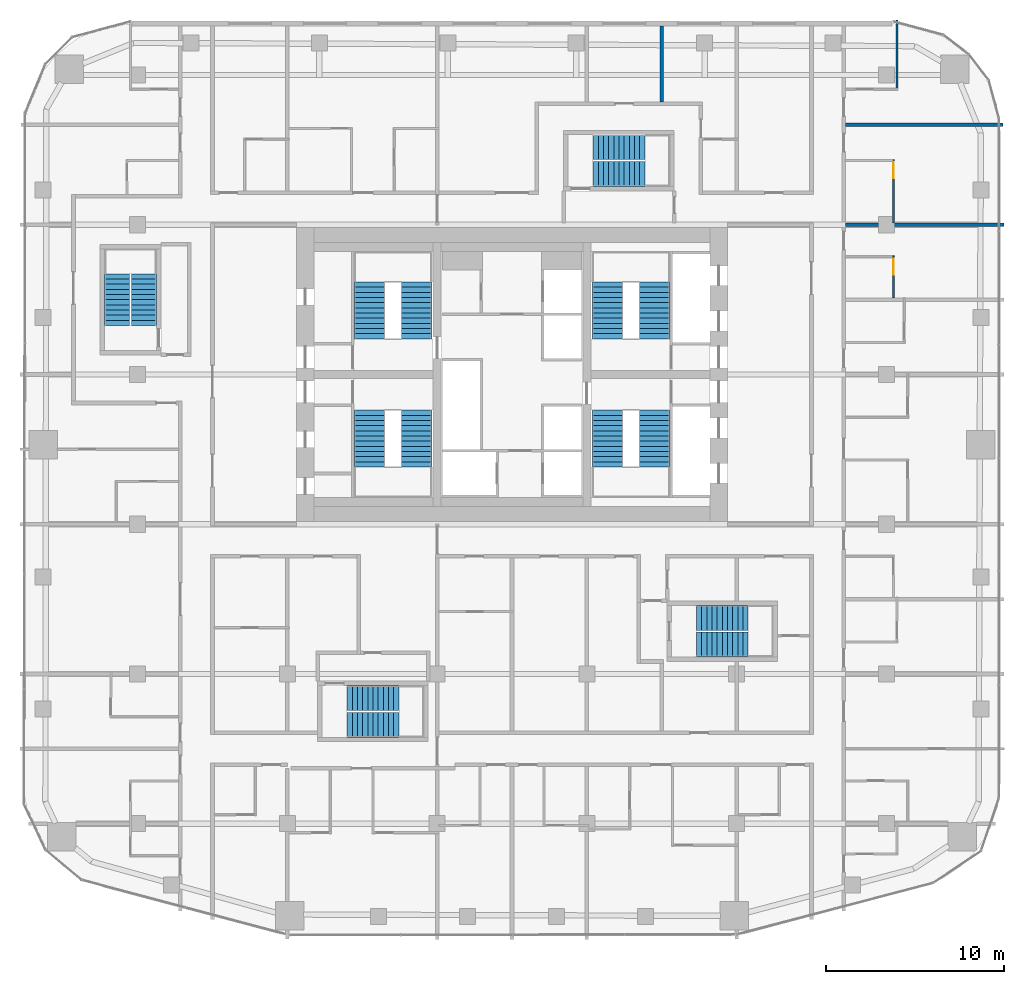
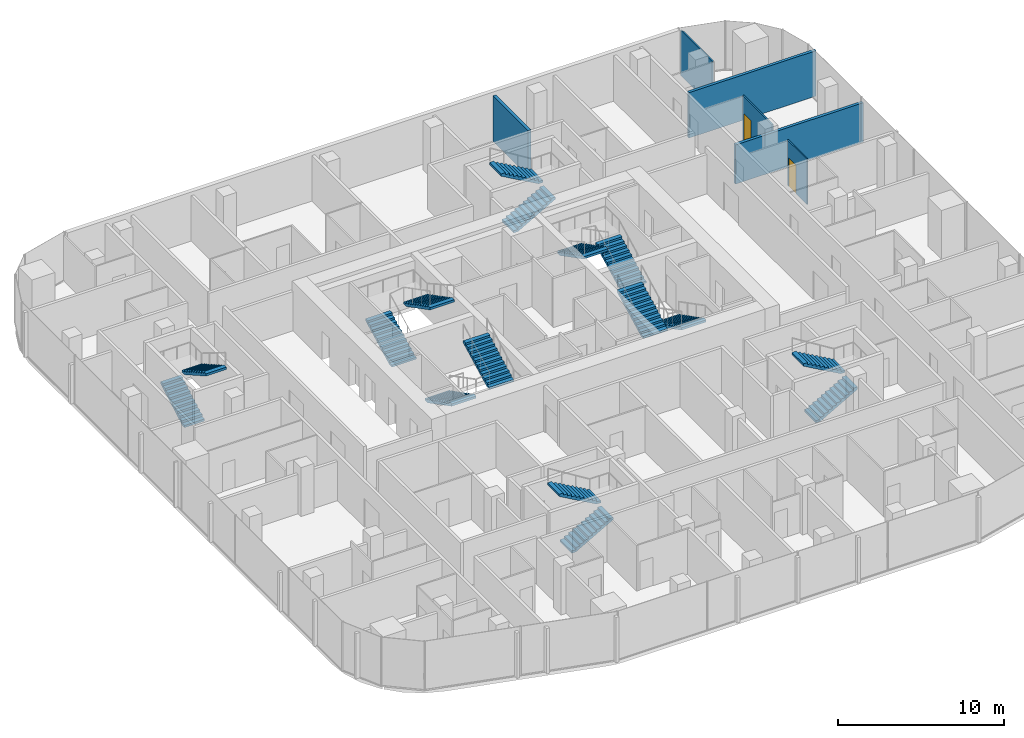
# One storey, part 21 of 23: 16 stair flights, 6 walls, 2 doors, 2 openings, 8 elements without a shape of their own.
"""IFC4 building model written with IfcOpenShell, lengths in metres."""

import ifcopenshell
import ifcopenshell.guid

model = None  # the IFC model being written
_history = None  # IfcOwnerHistory: only IFC2X3 demands one
_inside = {}  # id of a spatial element -> (the spatial element, [elements in it])
_under = {}  # id of a project, library or spatial element -> (it, [spatial elements below it])
_declared = {}  # id of a project -> (the project, [libraries it declares])
_typed = {}  # id of a type object -> (the type object, [elements of that type])
_made_of = {}  # id of a material, layer set ... -> (it, [elements and type objects made of it])


def new_model(schema):
    """Start an empty IFC model of exactly this schema.

    Asked for "IFC4X3", IfcOpenShell would pick the latest addendum, in which some entities
    have other attributes; the version numbers below select the first issue.
    IFC2X3 requires an IfcOwnerHistory on every rooted entity: one is made here for all.
    """
    global model, _history
    if schema == "IFC4X3":
        model = ifcopenshell.file(schema_version=(4, 3, 0, 0))
    else:
        model = ifcopenshell.file(schema=schema)
    _inside.clear()
    _under.clear()
    _declared.clear()
    _typed.clear()
    _made_of.clear()
    _history = None
    if model.schema == "IFC2X3":
        org = make("IfcOrganization", Name="unknown")
        user = make(
            "IfcPersonAndOrganization",
            ThePerson=make("IfcPerson", FamilyName="unknown"),
            TheOrganization=org,
        )
        app = make(
            "IfcApplication",
            ApplicationDeveloper=org,
            Version="unknown",
            ApplicationFullName="unknown",
            ApplicationIdentifier="unknown",
        )
        _history = make(
            "IfcOwnerHistory",
            OwningUser=user,
            OwningApplication=app,
            ChangeAction="ADDED",
            CreationDate=0,
        )
    return model


def make(cls, **values):
    """One entity of the class cls with the attributes given. An attribute that is None is left unset."""
    return model.create_entity(
        cls, **{name: value for name, value in values.items() if value is not None}
    )


def rooted(cls, **values):
    """An entity with a GlobalId (a new one), such as an element, a storey or a relation."""
    return make(cls, GlobalId=ifcopenshell.guid.new(), OwnerHistory=_history, **values)


def si_unit(unit_type, name, prefix=None):
    """IfcSIUnit, for example si_unit("LENGTHUNIT", "METRE", prefix="MILLI")."""
    return make("IfcSIUnit", UnitType=unit_type, Prefix=prefix, Name=name)


def assignment(units):
    """IfcUnitAssignment: the units of a project."""
    return None if units is None else make("IfcUnitAssignment", Units=units)


def point(xyz):
    """IfcCartesianPoint."""
    return None if xyz is None else make("IfcCartesianPoint", Coordinates=xyz)


def direction(xyz):
    """IfcDirection."""
    return None if xyz is None else make("IfcDirection", DirectionRatios=xyz)


def frame(location, z_axis=None, x_axis=None):
    """IfcAxis2Placement3D, a coordinate frame: its origin and axes. An axis left out is left unset."""
    return make(
        "IfcAxis2Placement3D",
        Location=point(location),
        Axis=direction(z_axis),
        RefDirection=direction(x_axis),
    )


def frame_2d(location, x_axis=None):
    """IfcAxis2Placement2D, a coordinate frame in the plane: its origin and x axis."""
    return make(
        "IfcAxis2Placement2D", Location=point(location), RefDirection=direction(x_axis)
    )


def origin():
    """The frame at (0, 0, 0) with its axes left unset."""
    return frame((0.0, 0.0, 0.0))


def place(relative_to, where):
    """IfcLocalPlacement: puts the frame where relative to a parent placement (None: the world)."""
    return make(
        "IfcLocalPlacement", PlacementRelTo=relative_to, RelativePlacement=where
    )


def context(
    kind, dimensions, precision=None, world=None, true_north=None, identifier=None
):
    """IfcGeometricRepresentationContext, for example the 3D "Model" context."""
    return make(
        "IfcGeometricRepresentationContext",
        ContextIdentifier=identifier,
        ContextType=kind,
        CoordinateSpaceDimension=dimensions,
        Precision=precision,
        WorldCoordinateSystem=world,
        TrueNorth=true_north,
    )


def subcontext(parent, identifier, kind, view, scale=None):
    """IfcGeometricRepresentationSubContext, for example "Body" below "Model"."""
    return make(
        "IfcGeometricRepresentationSubContext",
        ContextIdentifier=identifier,
        ContextType=kind,
        ParentContext=parent,
        TargetScale=scale,
        TargetView=view,
    )


def project(units=None, contexts=None):
    """IfcProject with its units and contexts."""
    return rooted(
        "IfcProject",
        Name="project",
        RepresentationContexts=contexts,
        UnitsInContext=assignment(units),
    )


def spatial(cls, under=None, at=None, **own):
    """A site, building, storey or space (cls), placed at a placement, below another one or the project."""
    s = rooted(cls, ObjectPlacement=at, **own)
    if under is not None:
        _under.setdefault(under.id(), (under, []))[1].append(s)
    return s


def polyline(points):
    """IfcPolyline through the points."""
    return make("IfcPolyline", Points=[point(p) for p in points])


def profile(cls, at=None, kind="AREA", **sizes):
    """A parametric profile (cls). Its sizes go by their IFC names, for example OverallWidth=200.0."""
    return make(cls, ProfileType=kind, Position=at, **sizes)


def rectangle(**sizes):
    """IfcRectangleProfileDef."""
    return profile("IfcRectangleProfileDef", **sizes)


def outline(outer, holes=None, kind="AREA"):
    """IfcArbitraryClosedProfileDef: a profile drawn as a closed curve; with holes, ...WithVoids."""
    if holes is None:
        return make("IfcArbitraryClosedProfileDef", ProfileType=kind, OuterCurve=outer)
    return make(
        "IfcArbitraryProfileDefWithVoids",
        ProfileType=kind,
        OuterCurve=outer,
        InnerCurves=holes,
    )


def extrude(swept, where, along, depth):
    """IfcExtrudedAreaSolid: the profile swept, set in the frame where, extruded along a direction by depth."""
    return make(
        "IfcExtrudedAreaSolid",
        SweptArea=swept,
        Position=where,
        ExtrudedDirection=direction(along),
        Depth=depth,
    )


def shape(context_of_items, identifier, shape_type, items):
    """IfcShapeRepresentation: the items that make up one representation, for example the "Body"."""
    return make(
        "IfcShapeRepresentation",
        ContextOfItems=context_of_items,
        RepresentationIdentifier=identifier,
        RepresentationType=shape_type,
        Items=items,
    )


def material(Name=None, Category=None):
    """IfcMaterial."""
    return make("IfcMaterial", Name=Name, Category=Category)


def layer(
    of_material, thickness, ventilated=None, Name=None, Category=None, Priority=None
):
    """IfcMaterialLayer: one layer of a wall or slab, of a material (None: an air gap)."""
    return make(
        "IfcMaterialLayer",
        Material=of_material,
        LayerThickness=thickness,
        IsVentilated=ventilated,
        Name=Name,
        Category=Category,
        Priority=Priority,
    )


def layer_set(layers, Name=None):
    """IfcMaterialLayerSet."""
    return make("IfcMaterialLayerSet", MaterialLayers=layers, LayerSetName=Name)


def made_of(thing, what):
    """Note that an element or type object is made of a material, layer set ...; save() writes the relation."""
    if what is not None:
        _made_of.setdefault(what.id(), (what, []))[1].append(thing)
    return thing


def type_object(cls, material=None, **own):
    """A type object (cls), such as IfcWallType, which elements share."""
    return made_of(rooted(cls, **own), material)


def element(
    cls,
    number,
    at=None,
    inside=None,
    cuts=None,
    type_object=None,
    material=None,
    context=None,
    identifier="Body",
    shape_type=None,
    held_by="IfcProductDefinitionShape",
    body=None,
    shapes=None,
    **own,
):
    """One element of the class cls, such as IfcWall. Its Tag is "e" and its number.

    at: its placement. inside: the storey or other place that contains it. cuts: it is an
    opening in that element (IfcRelVoidsElement). A single representation is given by context,
    identifier, shape_type and body (its items); several are given by shapes. held_by: the class
    of the entity that holds the representations. save() writes the other relations.
    """
    e = rooted(cls, Tag="e%d" % number, ObjectPlacement=at, **own)
    if body is not None:
        shapes = [shape(context, identifier, shape_type, body)]
    if shapes is not None:
        e.Representation = make(held_by, Representations=shapes)
    if inside is not None:
        _inside.setdefault(inside.id(), (inside, []))[1].append(e)
    if cuts is not None:
        rooted(
            "IfcRelVoidsElement", RelatingBuildingElement=cuts, RelatedOpeningElement=e
        )
    if type_object is not None:
        _typed.setdefault(type_object.id(), (type_object, []))[1].append(e)
    return made_of(e, material)


def fill(opening, filler):
    """IfcRelFillsElement: the door or window that sits in an opening."""
    return rooted(
        "IfcRelFillsElement",
        RelatingOpeningElement=opening,
        RelatedBuildingElement=filler,
    )


def aggregate(whole, parts):
    """IfcRelAggregates: a whole, such as a stair, and the parts it consists of."""
    return rooted("IfcRelAggregates", RelatingObject=whole, RelatedObjects=parts)


def save(model, path):
    """Write the relations noted so far, then the file.

    IfcRelAggregates (storeys below a building ...), IfcRelContainedInSpatialStructure (elements
    in a storey), IfcRelDefinesByType, IfcRelAssociatesMaterial and IfcRelDeclares: one each for
    every whole, place, type object, material and project.
    """
    for whole, parts in _under.values():
        aggregate(whole, parts)
    for where, things in _inside.values():
        rooted(
            "IfcRelContainedInSpatialStructure",
            RelatedElements=things,
            RelatingStructure=where,
        )
    for kind, things in _typed.values():
        rooted("IfcRelDefinesByType", RelatedObjects=things, RelatingType=kind)
    for what, things in _made_of.values():
        rooted("IfcRelAssociatesMaterial", RelatedObjects=things, RelatingMaterial=what)
    for by, libraries in _declared.values():
        rooted("IfcRelDeclares", RelatingContext=by, RelatedDefinitions=libraries)
    model.write(path)


model = new_model("IFC4")

# Units and contexts
model_context = context("Model", 3, precision=1e-05, world=origin(), true_north=direction((0.0, 1.0)))
body_context = subcontext(model_context, "Body", "Model", "MODEL_VIEW")
ifc_project = project(units=[si_unit("LENGTHUNIT", "METRE"), si_unit("AREAUNIT", "SQUARE_METRE"), si_unit("VOLUMEUNIT", "CUBIC_METRE"), si_unit("PLANEANGLEUNIT", "RADIAN"), si_unit("MASSUNIT", "GRAM", prefix="KILO")], contexts=[model_context])

# Site, building, storey
site_placement = place(None, origin())
site = spatial("IfcSite", under=ifc_project, at=site_placement, CompositionType="ELEMENT")
building_placement = place(site_placement, origin())
building = spatial("IfcBuilding", under=site, at=building_placement, Name="Marenta Gate Hotel Tower", CompositionType="ELEMENT")
storey_placement = place(building_placement, frame((0.0, 0.0, 126.5)))
storey = spatial("IfcBuildingStorey", under=building, at=storey_placement, Name="L28", CompositionType="ELEMENT", Elevation=126.5)

# Wall
ifc_material_1 = material(Name="Gypsum board on steel stud", Category="steel")
ifc_layer_1 = layer(ifc_material_1, 0.10009765625)
ifc_layer_set_1 = layer_set([ifc_layer_1], Name="Gypsum board on steel stud")
wall_type_1 = type_object("IfcWallType", Name="Room partition 100", PredefinedType="PARTITIONING", material=ifc_layer_set_1)
wall_1_placement = place(storey_placement, frame((21.60009765625, 24.449951171875, 0.0), z_axis=(0.0, 0.0, 1.0), x_axis=(0.0, 1.0, 0.0)))
element("IfcWall", 1, at=wall_1_placement, inside=storey, type_object=wall_type_1, Name="L28-PTN-W007", PredefinedType="PARTITIONING", context=body_context, shape_type="SweptSolid", body=[
    extrude(rectangle(XDim=3.81103515625, YDim=0.10009765625, at=frame_2d((1.905517578125, 0.0))), origin(), (0.0, 0.0, 1.0), 3.340087890625),
])

# Wall, opening, door
wall_2_placement = place(storey_placement, frame((21.39990234375, 12.699951171875, 0.0), z_axis=(0.0, 0.0, 1.0), x_axis=(0.0, 1.0, 0.0)))
wall_2 = element("IfcWall", 2, at=wall_2_placement, inside=storey, type_object=wall_type_1, Name="L28-PTN-W009", PredefinedType="PARTITIONING", context=body_context, shape_type="SweptSolid", body=[
    extrude(rectangle(XDim=2.35009765625, YDim=0.10009765625, at=frame_2d((1.175048828125, 0.0))), origin(), (0.0, 0.0, 1.0), 3.340087890625),
])
opening_1_placement = place(wall_2_placement, frame((1.300048828125, 0.0, 0.0)))
opening_1 = element("IfcOpeningElement", 3, at=opening_1_placement, cuts=wall_2, Name="Opening G10-25", PredefinedType="OPENING", context=body_context, shape_type="SweptSolid", body=[
    extrude(rectangle(XDim=0.89990234375, YDim=2.10009765625, at=frame_2d((0.449951171875, 1.050048828125))), frame((0.0, 0.050048828125, 0.0), z_axis=(0.0, -1.0, 0.0), x_axis=(1.0, 0.0, 0.0)), (0.0, 0.0, 1.0), 0.10009765625),
])
ifc_material_2 = material(Name="Timber door leaf", Category="wood")
door_type = type_object("IfcDoorType", Name="Guest bathroom door 900x2100", OperationType="NOTDEFINED", PredefinedType="DOOR", material=ifc_material_2)
door_1_placement = place(opening_1_placement, origin())
door_1 = element("IfcDoor", 4, at=door_1_placement, inside=storey, type_object=door_type, Name="L28-PD-D025", OperationType="SINGLE_SWING_RIGHT", OverallHeight=2.10009765625, OverallWidth=0.89990234375, PredefinedType="DOOR", context=body_context, shape_type="SweptSolid", body=[
    extrude(rectangle(XDim=0.89990234375, YDim=2.10009765625, at=frame_2d((0.449951171875, 1.050048828125))), frame((0.0, 0.02490234375, 0.0), z_axis=(0.0, -1.0, 0.0), x_axis=(1.0, 0.0, 0.0)), (0.0, 0.0, 1.0), 0.050048828125),
])
fill(opening_1, door_1)

wall_3_placement = place(storey_placement, frame((21.39990234375, 16.89990234375, 0.0), z_axis=(0.0, 0.0, 1.0), x_axis=(0.0, 1.0, 0.0)))
wall_3 = element("IfcWall", 5, at=wall_3_placement, inside=storey, type_object=wall_type_1, Name="L28-PTN-W010", PredefinedType="PARTITIONING", context=body_context, shape_type="SweptSolid", body=[
    extrude(rectangle(XDim=3.550048828125, YDim=0.10009765625, at=frame_2d((1.77490234375, 0.0))), origin(), (0.0, 0.0, 1.0), 3.340087890625),
])
opening_2_placement = place(wall_3_placement, frame((2.5, 0.0, 0.0)))
opening_2 = element("IfcOpeningElement", 6, at=opening_2_placement, cuts=wall_3, Name="Opening G10-27", PredefinedType="OPENING", context=body_context, shape_type="SweptSolid", body=[
    extrude(rectangle(XDim=0.89990234375, YDim=2.10009765625, at=frame_2d((0.449951171875, 1.050048828125))), frame((0.0, 0.050048828125, 0.0), z_axis=(0.0, -1.0, 0.0), x_axis=(1.0, 0.0, 0.0)), (0.0, 0.0, 1.0), 0.10009765625),
])
door_2_placement = place(opening_2_placement, origin())
door_2 = element("IfcDoor", 7, at=door_2_placement, inside=storey, type_object=door_type, Name="L28-PD-D027", OperationType="SINGLE_SWING_RIGHT", OverallHeight=2.10009765625, OverallWidth=0.89990234375, PredefinedType="DOOR", context=body_context, shape_type="SweptSolid", body=[
    extrude(rectangle(XDim=0.89990234375, YDim=2.10009765625, at=frame_2d((0.449951171875, 1.050048828125))), frame((0.0, 0.02490234375, 0.0), z_axis=(0.0, -1.0, 0.0), x_axis=(1.0, 0.0, 0.0)), (0.0, 0.0, 1.0), 0.050048828125),
])
fill(opening_2, door_2)

# Walls
ifc_material_3 = material(Name="Concrete blockwork", Category="masonry")
ifc_layer_2 = layer(ifc_material_3, 0.199951171875)
ifc_layer_set_2 = layer_set([ifc_layer_2], Name="Concrete blockwork")
wall_type_2 = type_object("IfcWallType", Name="Room party wall 200 EI 120", PredefinedType="PARTITIONING", material=ifc_layer_set_2)
wall_4_placement = place(storey_placement, frame((8.39990234375, 23.699951171875, 0.0), z_axis=(0.0, 0.0, 1.0), x_axis=(0.0, 1.0, 0.0)))
element("IfcWall", 8, at=wall_4_placement, inside=storey, type_object=wall_type_2, Name="L28-PTN-W047", PredefinedType="PARTITIONING", context=body_context, shape_type="SweptSolid", body=[
    extrude(rectangle(XDim=4.239990234375, YDim=0.199951171875, at=frame_2d((2.1201171875, 0.0))), origin(), (0.0, 0.0, 1.0), 3.340087890625),
])
ifc_material_4 = material(Name="Gypsum board on steel stud", Category="steel")
ifc_layer_3 = layer(ifc_material_4, 0.199951171875)
ifc_layer_set_3 = layer_set([ifc_layer_3], Name="Gypsum board on steel stud")
wall_type_3 = type_object("IfcWallType", Name="Room party wall 200 EI 60", PredefinedType="PARTITIONING", material=ifc_layer_set_3)
wall_5_placement = place(storey_placement, frame((18.699951171875, 16.800048828125, 0.0), z_axis=(0.0, 0.0, 1.0), x_axis=(1.0, 0.0, 0.0)))
element("IfcWall", 9, at=wall_5_placement, inside=storey, type_object=wall_type_3, Name="L28-PTN-W108", PredefinedType="PARTITIONING", context=body_context, shape_type="SweptSolid", body=[
    extrude(rectangle(XDim=8.900146484375, YDim=0.199951171875, at=frame_2d((4.4501953125, 0.0))), origin(), (0.0, 0.0, 1.0), 2.889892578125),
])
wall_6_placement = place(storey_placement, frame((18.699951171875, 22.39990234375, 0.0), z_axis=(0.0, 0.0, 1.0), x_axis=(1.0, 0.0, 0.0)))
element("IfcWall", 10, at=wall_6_placement, inside=storey, type_object=wall_type_3, Name="L28-PTN-W126", PredefinedType="PARTITIONING", context=body_context, shape_type="SweptSolid", body=[
    extrude(rectangle(XDim=8.84716796875, YDim=0.199951171875, at=frame_2d((4.423583984375, 0.0))), origin(), (0.0, 0.0, 1.0), 3.340087890625),
])

# Stair, stair flights
ifc_material_5 = material(Name="Concrete C40", Category="concrete")
stair_type_1 = type_object("IfcStairType", Name="Core exit stair 1700 wide", PredefinedType="HALF_TURN_STAIR", material=ifc_material_5)
stair_1_placement = place(storey_placement, origin())
stair_1 = element("IfcStair", 11, at=stair_1_placement, inside=storey, type_object=stair_type_1, Name="Exit stair 1", PredefinedType="HALF_TURN_STAIR")
ifc_material_6 = material(Name="Concrete C40", Category="concrete")
stair_flight_type_1 = type_object("IfcStairFlightType", Name="Core stair flight 1700 riser 150.0 going 290", PredefinedType="STRAIGHT", material=ifc_material_6)
stair_flight_1_placement = place(storey_placement, frame((-8.0, 6.39990234375, 0.0), z_axis=(0.0, 0.0, 1.0), x_axis=(0.0, -1.0, 0.0)))
stair_flight_1 = element("IfcStairFlight", 12, at=stair_flight_1_placement, type_object=stair_flight_type_1, Name="ST1 flight 1", NumberOfRisers=12, NumberOfTreads=11, PredefinedType="STRAIGHT", RiserHeight=0.15, TreadLength=0.29, context=body_context, shape_type="SweptSolid", body=[
    extrude(outline(polyline([(0.0, 0.0), (0.0, 0.14990234375), (0.2900390625, 0.14990234375), (0.2900390625, 0.300048828125), (0.580078125, 0.300048828125), (0.580078125, 0.449951171875), (0.8701171875, 0.449951171875), (0.8701171875, 0.60009765625), (1.159912109375, 0.60009765625), (1.159912109375, 0.75), (1.449951171875, 0.75), (1.449951171875, 0.89990234375), (1.739990234375, 0.89990234375), (1.739990234375, 1.050048828125), (2.030029296875, 1.050048828125), (2.030029296875, 1.199951171875), (2.320068359375, 1.199951171875), (2.320068359375, 1.35009765625), (2.610107421875, 1.35009765625), (2.610107421875, 1.5), (2.89990234375, 1.5), (2.89990234375, 1.64990234375), (3.18994140625, 1.64990234375), (3.18994140625, 1.800048828125), (3.18994140625, 1.481201171875), (0.326171875, 0.0), (0.0, 0.0)])), frame((0.0, 0.85009765625, 0.0), z_axis=(0.0, -1.0, 0.0), x_axis=(1.0, 0.0, 0.0)), (0.0, 0.0, 1.0), 1.699951171875),
])
stair_flight_2_placement = place(storey_placement, frame((-5.35009765625, 3.2099609375, 1.800048828125), z_axis=(0.0, 0.0, 1.0), x_axis=(0.0, 1.0, 0.0)))
stair_flight_2 = element("IfcStairFlight", 13, at=stair_flight_2_placement, type_object=stair_flight_type_1, Name="ST1 flight 2", NumberOfRisers=12, NumberOfTreads=11, PredefinedType="STRAIGHT", RiserHeight=0.15, TreadLength=0.29, context=body_context, shape_type="SweptSolid", body=[
    extrude(outline(polyline([(0.0, 0.0), (0.0, 0.14990234375), (0.2900390625, 0.14990234375), (0.2900390625, 0.300048828125), (0.580078125, 0.300048828125), (0.580078125, 0.449951171875), (0.8701171875, 0.449951171875), (0.8701171875, 0.60009765625), (1.159912109375, 0.60009765625), (1.159912109375, 0.75), (1.449951171875, 0.75), (1.449951171875, 0.89990234375), (1.739990234375, 0.89990234375), (1.739990234375, 1.050048828125), (2.030029296875, 1.050048828125), (2.030029296875, 1.199951171875), (2.320068359375, 1.199951171875), (2.320068359375, 1.35009765625), (2.610107421875, 1.35009765625), (2.610107421875, 1.5), (2.89990234375, 1.5), (2.89990234375, 1.64990234375), (3.18994140625, 1.64990234375), (3.18994140625, 1.800048828125), (3.18994140625, 1.481201171875), (0.326171875, 0.0), (0.0, 0.0)])), frame((0.0, 0.85009765625, 0.0), z_axis=(0.0, -1.0, 0.0), x_axis=(1.0, 0.0, 0.0)), (0.0, 0.0, 1.0), 1.699951171875),
])
aggregate(stair_1, [stair_flight_1, stair_flight_2])

stair_2_placement = place(storey_placement, origin())
stair_2 = element("IfcStair", 14, at=stair_2_placement, inside=storey, type_object=stair_type_1, Name="Exit stair 2", PredefinedType="HALF_TURN_STAIR")
stair_flight_3_placement = place(storey_placement, frame((-8.0, 10.39990234375, 0.0), z_axis=(0.0, 0.0, 1.0), x_axis=(0.0, 1.0, 0.0)))
stair_flight_3 = element("IfcStairFlight", 15, at=stair_flight_3_placement, type_object=stair_flight_type_1, Name="ST2 flight 1", NumberOfRisers=12, NumberOfTreads=11, PredefinedType="STRAIGHT", RiserHeight=0.15, TreadLength=0.29, context=body_context, shape_type="SweptSolid", body=[
    extrude(outline(polyline([(0.0, 0.0), (0.0, 0.14990234375), (0.2900390625, 0.14990234375), (0.2900390625, 0.300048828125), (0.580078125, 0.300048828125), (0.580078125, 0.449951171875), (0.8701171875, 0.449951171875), (0.8701171875, 0.60009765625), (1.159912109375, 0.60009765625), (1.159912109375, 0.75), (1.449951171875, 0.75), (1.449951171875, 0.89990234375), (1.739990234375, 0.89990234375), (1.739990234375, 1.050048828125), (2.030029296875, 1.050048828125), (2.030029296875, 1.199951171875), (2.320068359375, 1.199951171875), (2.320068359375, 1.35009765625), (2.610107421875, 1.35009765625), (2.610107421875, 1.5), (2.89990234375, 1.5), (2.89990234375, 1.64990234375), (3.18994140625, 1.64990234375), (3.18994140625, 1.800048828125), (3.18994140625, 1.481201171875), (0.326171875, 0.0), (0.0, 0.0)])), frame((0.0, 0.85009765625, 0.0), z_axis=(0.0, -1.0, 0.0), x_axis=(1.0, 0.0, 0.0)), (0.0, 0.0, 1.0), 1.699951171875),
])
stair_flight_4_placement = place(storey_placement, frame((-5.35009765625, 13.590087890625, 1.800048828125), z_axis=(0.0, 0.0, 1.0), x_axis=(0.0, -1.0, 0.0)))
stair_flight_4 = element("IfcStairFlight", 16, at=stair_flight_4_placement, type_object=stair_flight_type_1, Name="ST2 flight 2", NumberOfRisers=12, NumberOfTreads=11, PredefinedType="STRAIGHT", RiserHeight=0.15, TreadLength=0.29, context=body_context, shape_type="SweptSolid", body=[
    extrude(outline(polyline([(0.0, 0.0), (0.0, 0.14990234375), (0.2900390625, 0.14990234375), (0.2900390625, 0.300048828125), (0.580078125, 0.300048828125), (0.580078125, 0.449951171875), (0.8701171875, 0.449951171875), (0.8701171875, 0.60009765625), (1.159912109375, 0.60009765625), (1.159912109375, 0.75), (1.449951171875, 0.75), (1.449951171875, 0.89990234375), (1.739990234375, 0.89990234375), (1.739990234375, 1.050048828125), (2.030029296875, 1.050048828125), (2.030029296875, 1.199951171875), (2.320068359375, 1.199951171875), (2.320068359375, 1.35009765625), (2.610107421875, 1.35009765625), (2.610107421875, 1.5), (2.89990234375, 1.5), (2.89990234375, 1.64990234375), (3.18994140625, 1.64990234375), (3.18994140625, 1.800048828125), (3.18994140625, 1.481201171875), (0.326171875, 0.0), (0.0, 0.0)])), frame((0.0, 0.85009765625, 0.0), z_axis=(0.0, -1.0, 0.0), x_axis=(1.0, 0.0, 0.0)), (0.0, 0.0, 1.0), 1.699951171875),
])
aggregate(stair_2, [stair_flight_3, stair_flight_4])

stair_3_placement = place(storey_placement, origin())
stair_3 = element("IfcStair", 17, at=stair_3_placement, inside=storey, type_object=stair_type_1, Name="Exit stair 3", PredefinedType="HALF_TURN_STAIR")
stair_flight_5_placement = place(storey_placement, frame((8.0, 6.39990234375, 0.0), z_axis=(0.0, 0.0, 1.0), x_axis=(0.0, -1.0, 0.0)))
stair_flight_5 = element("IfcStairFlight", 18, at=stair_flight_5_placement, type_object=stair_flight_type_1, Name="ST3 flight 1", NumberOfRisers=12, NumberOfTreads=11, PredefinedType="STRAIGHT", RiserHeight=0.15, TreadLength=0.29, context=body_context, shape_type="SweptSolid", body=[
    extrude(outline(polyline([(0.0, 0.0), (0.0, 0.14990234375), (0.2900390625, 0.14990234375), (0.2900390625, 0.300048828125), (0.580078125, 0.300048828125), (0.580078125, 0.449951171875), (0.8701171875, 0.449951171875), (0.8701171875, 0.60009765625), (1.159912109375, 0.60009765625), (1.159912109375, 0.75), (1.449951171875, 0.75), (1.449951171875, 0.89990234375), (1.739990234375, 0.89990234375), (1.739990234375, 1.050048828125), (2.030029296875, 1.050048828125), (2.030029296875, 1.199951171875), (2.320068359375, 1.199951171875), (2.320068359375, 1.35009765625), (2.610107421875, 1.35009765625), (2.610107421875, 1.5), (2.89990234375, 1.5), (2.89990234375, 1.64990234375), (3.18994140625, 1.64990234375), (3.18994140625, 1.800048828125), (3.18994140625, 1.481201171875), (0.326171875, 0.0), (0.0, 0.0)])), frame((0.0, 0.85009765625, 0.0), z_axis=(0.0, -1.0, 0.0), x_axis=(1.0, 0.0, 0.0)), (0.0, 0.0, 1.0), 1.699951171875),
])
stair_flight_6_placement = place(storey_placement, frame((5.35009765625, 3.2099609375, 1.800048828125), z_axis=(0.0, 0.0, 1.0), x_axis=(0.0, 1.0, 0.0)))
stair_flight_6 = element("IfcStairFlight", 19, at=stair_flight_6_placement, type_object=stair_flight_type_1, Name="ST3 flight 2", NumberOfRisers=12, NumberOfTreads=11, PredefinedType="STRAIGHT", RiserHeight=0.15, TreadLength=0.29, context=body_context, shape_type="SweptSolid", body=[
    extrude(outline(polyline([(0.0, 0.0), (0.0, 0.14990234375), (0.2900390625, 0.14990234375), (0.2900390625, 0.300048828125), (0.580078125, 0.300048828125), (0.580078125, 0.449951171875), (0.8701171875, 0.449951171875), (0.8701171875, 0.60009765625), (1.159912109375, 0.60009765625), (1.159912109375, 0.75), (1.449951171875, 0.75), (1.449951171875, 0.89990234375), (1.739990234375, 0.89990234375), (1.739990234375, 1.050048828125), (2.030029296875, 1.050048828125), (2.030029296875, 1.199951171875), (2.320068359375, 1.199951171875), (2.320068359375, 1.35009765625), (2.610107421875, 1.35009765625), (2.610107421875, 1.5), (2.89990234375, 1.5), (2.89990234375, 1.64990234375), (3.18994140625, 1.64990234375), (3.18994140625, 1.800048828125), (3.18994140625, 1.481201171875), (0.326171875, 0.0), (0.0, 0.0)])), frame((0.0, 0.85009765625, 0.0), z_axis=(0.0, -1.0, 0.0), x_axis=(1.0, 0.0, 0.0)), (0.0, 0.0, 1.0), 1.699951171875),
])
aggregate(stair_3, [stair_flight_5, stair_flight_6])

stair_4_placement = place(storey_placement, origin())
stair_4 = element("IfcStair", 20, at=stair_4_placement, inside=storey, type_object=stair_type_1, Name="Exit stair 4", PredefinedType="HALF_TURN_STAIR")
stair_flight_7_placement = place(storey_placement, frame((8.0, 10.39990234375, 0.0), z_axis=(0.0, 0.0, 1.0), x_axis=(0.0, 1.0, 0.0)))
stair_flight_7 = element("IfcStairFlight", 21, at=stair_flight_7_placement, type_object=stair_flight_type_1, Name="ST4 flight 1", NumberOfRisers=12, NumberOfTreads=11, PredefinedType="STRAIGHT", RiserHeight=0.15, TreadLength=0.29, context=body_context, shape_type="SweptSolid", body=[
    extrude(outline(polyline([(0.0, 0.0), (0.0, 0.14990234375), (0.2900390625, 0.14990234375), (0.2900390625, 0.300048828125), (0.580078125, 0.300048828125), (0.580078125, 0.449951171875), (0.8701171875, 0.449951171875), (0.8701171875, 0.60009765625), (1.159912109375, 0.60009765625), (1.159912109375, 0.75), (1.449951171875, 0.75), (1.449951171875, 0.89990234375), (1.739990234375, 0.89990234375), (1.739990234375, 1.050048828125), (2.030029296875, 1.050048828125), (2.030029296875, 1.199951171875), (2.320068359375, 1.199951171875), (2.320068359375, 1.35009765625), (2.610107421875, 1.35009765625), (2.610107421875, 1.5), (2.89990234375, 1.5), (2.89990234375, 1.64990234375), (3.18994140625, 1.64990234375), (3.18994140625, 1.800048828125), (3.18994140625, 1.481201171875), (0.326171875, 0.0), (0.0, 0.0)])), frame((0.0, 0.85009765625, 0.0), z_axis=(0.0, -1.0, 0.0), x_axis=(1.0, 0.0, 0.0)), (0.0, 0.0, 1.0), 1.699951171875),
])
stair_flight_8_placement = place(storey_placement, frame((5.35009765625, 13.590087890625, 1.800048828125), z_axis=(0.0, 0.0, 1.0), x_axis=(0.0, -1.0, 0.0)))
stair_flight_8 = element("IfcStairFlight", 22, at=stair_flight_8_placement, type_object=stair_flight_type_1, Name="ST4 flight 2", NumberOfRisers=12, NumberOfTreads=11, PredefinedType="STRAIGHT", RiserHeight=0.15, TreadLength=0.29, context=body_context, shape_type="SweptSolid", body=[
    extrude(outline(polyline([(0.0, 0.0), (0.0, 0.14990234375), (0.2900390625, 0.14990234375), (0.2900390625, 0.300048828125), (0.580078125, 0.300048828125), (0.580078125, 0.449951171875), (0.8701171875, 0.449951171875), (0.8701171875, 0.60009765625), (1.159912109375, 0.60009765625), (1.159912109375, 0.75), (1.449951171875, 0.75), (1.449951171875, 0.89990234375), (1.739990234375, 0.89990234375), (1.739990234375, 1.050048828125), (2.030029296875, 1.050048828125), (2.030029296875, 1.199951171875), (2.320068359375, 1.199951171875), (2.320068359375, 1.35009765625), (2.610107421875, 1.35009765625), (2.610107421875, 1.5), (2.89990234375, 1.5), (2.89990234375, 1.64990234375), (3.18994140625, 1.64990234375), (3.18994140625, 1.800048828125), (3.18994140625, 1.481201171875), (0.326171875, 0.0), (0.0, 0.0)])), frame((0.0, 0.85009765625, 0.0), z_axis=(0.0, -1.0, 0.0), x_axis=(1.0, 0.0, 0.0)), (0.0, 0.0, 1.0), 1.699951171875),
])
aggregate(stair_4, [stair_flight_7, stair_flight_8])

ifc_material_7 = material(Name="Concrete C40", Category="concrete")
stair_type_2 = type_object("IfcStairType", Name="Remote exit stair 1400 wide", PredefinedType="HALF_TURN_STAIR", material=ifc_material_7)
stair_5_placement = place(storey_placement, origin())
stair_5 = element("IfcStair", 23, at=stair_5_placement, inside=storey, type_object=stair_type_2, Name="Exit stair RS-Z1-3", PredefinedType="HALF_TURN_STAIR")
ifc_material_8 = material(Name="Concrete C40", Category="concrete")
stair_flight_type_2 = type_object("IfcStairFlightType", Name="Remote stair flight 1400 riser 163.6 going 290", PredefinedType="STRAIGHT", material=ifc_material_8)
stair_flight_9_placement = place(storey_placement, frame((-22.14990234375, 11.14990234375, 0.0), z_axis=(0.0, 0.0, 1.0), x_axis=(0.0, 1.0, 0.0)))
stair_flight_9 = element("IfcStairFlight", 24, at=stair_flight_9_placement, type_object=stair_flight_type_2, Name="RS-Z1-3 flight 1", NumberOfRisers=11, NumberOfTreads=10, PredefinedType="STRAIGHT", RiserHeight=0.163636, TreadLength=0.29, context=body_context, shape_type="SweptSolid", body=[
    extrude(outline(polyline([(0.0, 0.0), (0.0, 0.16357421875), (0.2900390625, 0.16357421875), (0.2900390625, 0.327392578125), (0.580078125, 0.327392578125), (0.580078125, 0.490966796875), (0.8701171875, 0.490966796875), (0.8701171875, 0.654541015625), (1.159912109375, 0.654541015625), (1.159912109375, 0.818115234375), (1.449951171875, 0.818115234375), (1.449951171875, 0.98193359375), (1.739990234375, 0.98193359375), (1.739990234375, 1.1455078125), (2.030029296875, 1.1455078125), (2.030029296875, 1.30908203125), (2.320068359375, 1.30908203125), (2.320068359375, 1.47265625), (2.610107421875, 1.47265625), (2.610107421875, 1.636474609375), (2.89990234375, 1.636474609375), (2.89990234375, 1.800048828125), (2.89990234375, 1.46435546875), (0.304931640625, 0.0), (0.0, 0.0)])), frame((0.0, 0.699951171875, 0.0), z_axis=(0.0, -1.0, 0.0), x_axis=(1.0, 0.0, 0.0)), (0.0, 0.0, 1.0), 1.39990234375),
])
stair_flight_10_placement = place(storey_placement, frame((-20.64990234375, 14.050048828125, 1.800048828125), z_axis=(0.0, 0.0, 1.0), x_axis=(0.0, -1.0, 0.0)))
stair_flight_10 = element("IfcStairFlight", 25, at=stair_flight_10_placement, type_object=stair_flight_type_2, Name="RS-Z1-3 flight 2", NumberOfRisers=11, NumberOfTreads=10, PredefinedType="STRAIGHT", RiserHeight=0.163636, TreadLength=0.29, context=body_context, shape_type="SweptSolid", body=[
    extrude(outline(polyline([(0.0, 0.0), (0.0, 0.16357421875), (0.2900390625, 0.16357421875), (0.2900390625, 0.327392578125), (0.580078125, 0.327392578125), (0.580078125, 0.490966796875), (0.8701171875, 0.490966796875), (0.8701171875, 0.654541015625), (1.159912109375, 0.654541015625), (1.159912109375, 0.818115234375), (1.449951171875, 0.818115234375), (1.449951171875, 0.98193359375), (1.739990234375, 0.98193359375), (1.739990234375, 1.1455078125), (2.030029296875, 1.1455078125), (2.030029296875, 1.30908203125), (2.320068359375, 1.30908203125), (2.320068359375, 1.47265625), (2.610107421875, 1.47265625), (2.610107421875, 1.636474609375), (2.89990234375, 1.636474609375), (2.89990234375, 1.800048828125), (2.89990234375, 1.46435546875), (0.304931640625, 0.0), (0.0, 0.0)])), frame((0.0, 0.699951171875, 0.0), z_axis=(0.0, -1.0, 0.0), x_axis=(1.0, 0.0, 0.0)), (0.0, 0.0, 1.0), 1.39990234375),
])
aggregate(stair_5, [stair_flight_9, stair_flight_10])

stair_6_placement = place(storey_placement, origin())
stair_6 = element("IfcStair", 26, at=stair_6_placement, inside=storey, type_object=stair_type_2, Name="Exit stair RS-Z2-1", PredefinedType="HALF_TURN_STAIR")
stair_flight_11_placement = place(storey_placement, frame((-9.25, -11.25, 0.0), z_axis=(0.0, 0.0, 1.0), x_axis=(1.0, 0.0, 0.0)))
stair_flight_11 = element("IfcStairFlight", 27, at=stair_flight_11_placement, type_object=stair_flight_type_2, Name="RS-Z2-1 flight 1", NumberOfRisers=11, NumberOfTreads=10, PredefinedType="STRAIGHT", RiserHeight=0.163636, TreadLength=0.29, context=body_context, shape_type="SweptSolid", body=[
    extrude(outline(polyline([(0.0, 0.0), (0.0, 0.16357421875), (0.2900390625, 0.16357421875), (0.2900390625, 0.327392578125), (0.580078125, 0.327392578125), (0.580078125, 0.490966796875), (0.8701171875, 0.490966796875), (0.8701171875, 0.654541015625), (1.159912109375, 0.654541015625), (1.159912109375, 0.818115234375), (1.449951171875, 0.818115234375), (1.449951171875, 0.98193359375), (1.739990234375, 0.98193359375), (1.739990234375, 1.1455078125), (2.030029296875, 1.1455078125), (2.030029296875, 1.30908203125), (2.320068359375, 1.30908203125), (2.320068359375, 1.47265625), (2.610107421875, 1.47265625), (2.610107421875, 1.636474609375), (2.89990234375, 1.636474609375), (2.89990234375, 1.800048828125), (2.89990234375, 1.46435546875), (0.304931640625, 0.0), (0.0, 0.0)])), frame((0.0, 0.699951171875, 0.0), z_axis=(0.0, -1.0, 0.0), x_axis=(1.0, 0.0, 0.0)), (0.0, 0.0, 1.0), 1.39990234375),
])
stair_flight_12_placement = place(storey_placement, frame((-6.35009765625, -9.75, 1.800048828125), z_axis=(0.0, 0.0, 1.0), x_axis=(-1.0, 0.0, 0.0)))
stair_flight_12 = element("IfcStairFlight", 28, at=stair_flight_12_placement, type_object=stair_flight_type_2, Name="RS-Z2-1 flight 2", NumberOfRisers=11, NumberOfTreads=10, PredefinedType="STRAIGHT", RiserHeight=0.163636, TreadLength=0.29, context=body_context, shape_type="SweptSolid", body=[
    extrude(outline(polyline([(0.0, 0.0), (0.0, 0.16357421875), (0.2900390625, 0.16357421875), (0.2900390625, 0.327392578125), (0.580078125, 0.327392578125), (0.580078125, 0.490966796875), (0.8701171875, 0.490966796875), (0.8701171875, 0.654541015625), (1.159912109375, 0.654541015625), (1.159912109375, 0.818115234375), (1.449951171875, 0.818115234375), (1.449951171875, 0.98193359375), (1.739990234375, 0.98193359375), (1.739990234375, 1.1455078125), (2.030029296875, 1.1455078125), (2.030029296875, 1.30908203125), (2.320068359375, 1.30908203125), (2.320068359375, 1.47265625), (2.610107421875, 1.47265625), (2.610107421875, 1.636474609375), (2.89990234375, 1.636474609375), (2.89990234375, 1.800048828125), (2.89990234375, 1.46435546875), (0.304931640625, 0.0), (0.0, 0.0)])), frame((0.0, 0.699951171875, 0.0), z_axis=(0.0, -1.0, 0.0), x_axis=(1.0, 0.0, 0.0)), (0.0, 0.0, 1.0), 1.39990234375),
])
aggregate(stair_6, [stair_flight_11, stair_flight_12])

stair_7_placement = place(storey_placement, origin())
stair_7 = element("IfcStair", 29, at=stair_7_placement, inside=storey, type_object=stair_type_2, Name="Exit stair RS-Z2-2", PredefinedType="HALF_TURN_STAIR")
stair_flight_13_placement = place(storey_placement, frame((10.35009765625, -6.75, 0.0), z_axis=(0.0, 0.0, 1.0), x_axis=(1.0, 0.0, 0.0)))
stair_flight_13 = element("IfcStairFlight", 30, at=stair_flight_13_placement, type_object=stair_flight_type_2, Name="RS-Z2-2 flight 1", NumberOfRisers=11, NumberOfTreads=10, PredefinedType="STRAIGHT", RiserHeight=0.163636, TreadLength=0.29, context=body_context, shape_type="SweptSolid", body=[
    extrude(outline(polyline([(0.0, 0.0), (0.0, 0.16357421875), (0.2900390625, 0.16357421875), (0.2900390625, 0.327392578125), (0.580078125, 0.327392578125), (0.580078125, 0.490966796875), (0.8701171875, 0.490966796875), (0.8701171875, 0.654541015625), (1.159912109375, 0.654541015625), (1.159912109375, 0.818115234375), (1.449951171875, 0.818115234375), (1.449951171875, 0.98193359375), (1.739990234375, 0.98193359375), (1.739990234375, 1.1455078125), (2.030029296875, 1.1455078125), (2.030029296875, 1.30908203125), (2.320068359375, 1.30908203125), (2.320068359375, 1.47265625), (2.610107421875, 1.47265625), (2.610107421875, 1.636474609375), (2.89990234375, 1.636474609375), (2.89990234375, 1.800048828125), (2.89990234375, 1.46435546875), (0.304931640625, 0.0), (0.0, 0.0)])), frame((0.0, 0.699951171875, 0.0), z_axis=(0.0, -1.0, 0.0), x_axis=(1.0, 0.0, 0.0)), (0.0, 0.0, 1.0), 1.39990234375),
])
stair_flight_14_placement = place(storey_placement, frame((13.25, -5.25, 1.800048828125), z_axis=(0.0, 0.0, 1.0), x_axis=(-1.0, 0.0, 0.0)))
stair_flight_14 = element("IfcStairFlight", 31, at=stair_flight_14_placement, type_object=stair_flight_type_2, Name="RS-Z2-2 flight 2", NumberOfRisers=11, NumberOfTreads=10, PredefinedType="STRAIGHT", RiserHeight=0.163636, TreadLength=0.29, context=body_context, shape_type="SweptSolid", body=[
    extrude(outline(polyline([(0.0, 0.0), (0.0, 0.16357421875), (0.2900390625, 0.16357421875), (0.2900390625, 0.327392578125), (0.580078125, 0.327392578125), (0.580078125, 0.490966796875), (0.8701171875, 0.490966796875), (0.8701171875, 0.654541015625), (1.159912109375, 0.654541015625), (1.159912109375, 0.818115234375), (1.449951171875, 0.818115234375), (1.449951171875, 0.98193359375), (1.739990234375, 0.98193359375), (1.739990234375, 1.1455078125), (2.030029296875, 1.1455078125), (2.030029296875, 1.30908203125), (2.320068359375, 1.30908203125), (2.320068359375, 1.47265625), (2.610107421875, 1.47265625), (2.610107421875, 1.636474609375), (2.89990234375, 1.636474609375), (2.89990234375, 1.800048828125), (2.89990234375, 1.46435546875), (0.304931640625, 0.0), (0.0, 0.0)])), frame((0.0, 0.699951171875, 0.0), z_axis=(0.0, -1.0, 0.0), x_axis=(1.0, 0.0, 0.0)), (0.0, 0.0, 1.0), 1.39990234375),
])
aggregate(stair_7, [stair_flight_13, stair_flight_14])

stair_8_placement = place(storey_placement, origin())
stair_8 = element("IfcStair", 32, at=stair_8_placement, inside=storey, type_object=stair_type_2, Name="Exit stair RS-Z2-4", PredefinedType="HALF_TURN_STAIR")
stair_flight_15_placement = place(storey_placement, frame((4.550048828125, 19.64990234375, 0.0), z_axis=(0.0, 0.0, 1.0), x_axis=(1.0, 0.0, 0.0)))
stair_flight_15 = element("IfcStairFlight", 33, at=stair_flight_15_placement, type_object=stair_flight_type_2, Name="RS-Z2-4 flight 1", NumberOfRisers=11, NumberOfTreads=10, PredefinedType="STRAIGHT", RiserHeight=0.163636, TreadLength=0.29, context=body_context, shape_type="SweptSolid", body=[
    extrude(outline(polyline([(0.0, 0.0), (0.0, 0.16357421875), (0.2900390625, 0.16357421875), (0.2900390625, 0.327392578125), (0.580078125, 0.327392578125), (0.580078125, 0.490966796875), (0.8701171875, 0.490966796875), (0.8701171875, 0.654541015625), (1.159912109375, 0.654541015625), (1.159912109375, 0.818115234375), (1.449951171875, 0.818115234375), (1.449951171875, 0.98193359375), (1.739990234375, 0.98193359375), (1.739990234375, 1.1455078125), (2.030029296875, 1.1455078125), (2.030029296875, 1.30908203125), (2.320068359375, 1.30908203125), (2.320068359375, 1.47265625), (2.610107421875, 1.47265625), (2.610107421875, 1.636474609375), (2.89990234375, 1.636474609375), (2.89990234375, 1.800048828125), (2.89990234375, 1.46435546875), (0.304931640625, 0.0), (0.0, 0.0)])), frame((0.0, 0.699951171875, 0.0), z_axis=(0.0, -1.0, 0.0), x_axis=(1.0, 0.0, 0.0)), (0.0, 0.0, 1.0), 1.39990234375),
])
stair_flight_16_placement = place(storey_placement, frame((7.449951171875, 21.14990234375, 1.800048828125), z_axis=(0.0, 0.0, 1.0), x_axis=(-1.0, 0.0, 0.0)))
stair_flight_16 = element("IfcStairFlight", 34, at=stair_flight_16_placement, type_object=stair_flight_type_2, Name="RS-Z2-4 flight 2", NumberOfRisers=11, NumberOfTreads=10, PredefinedType="STRAIGHT", RiserHeight=0.163636, TreadLength=0.29, context=body_context, shape_type="SweptSolid", body=[
    extrude(outline(polyline([(0.0, 0.0), (0.0, 0.16357421875), (0.2900390625, 0.16357421875), (0.2900390625, 0.327392578125), (0.580078125, 0.327392578125), (0.580078125, 0.490966796875), (0.8701171875, 0.490966796875), (0.8701171875, 0.654541015625), (1.159912109375, 0.654541015625), (1.159912109375, 0.818115234375), (1.449951171875, 0.818115234375), (1.449951171875, 0.98193359375), (1.739990234375, 0.98193359375), (1.739990234375, 1.1455078125), (2.030029296875, 1.1455078125), (2.030029296875, 1.30908203125), (2.320068359375, 1.30908203125), (2.320068359375, 1.47265625), (2.610107421875, 1.47265625), (2.610107421875, 1.636474609375), (2.89990234375, 1.636474609375), (2.89990234375, 1.800048828125), (2.89990234375, 1.46435546875), (0.304931640625, 0.0), (0.0, 0.0)])), frame((0.0, 0.699951171875, 0.0), z_axis=(0.0, -1.0, 0.0), x_axis=(1.0, 0.0, 0.0)), (0.0, 0.0, 1.0), 1.39990234375),
])
aggregate(stair_8, [stair_flight_15, stair_flight_16])

save(model, "model.ifc")
